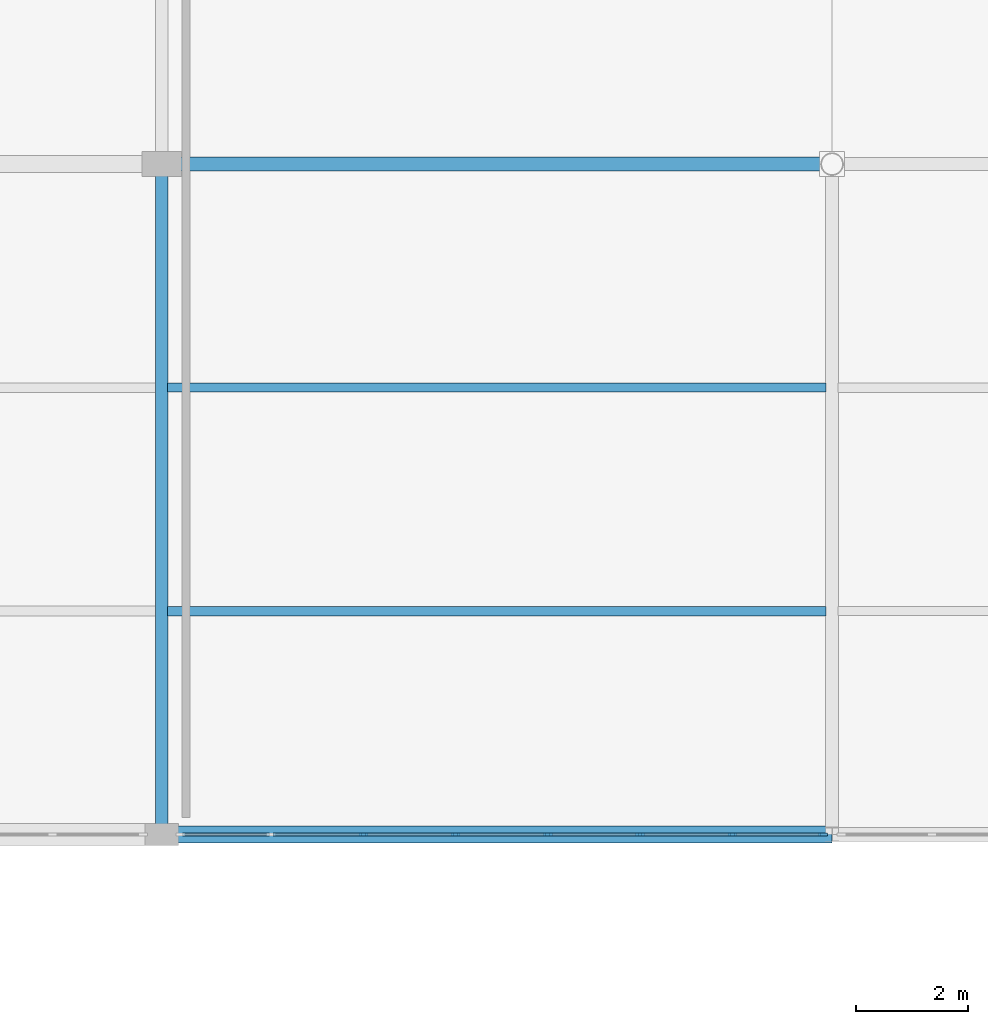
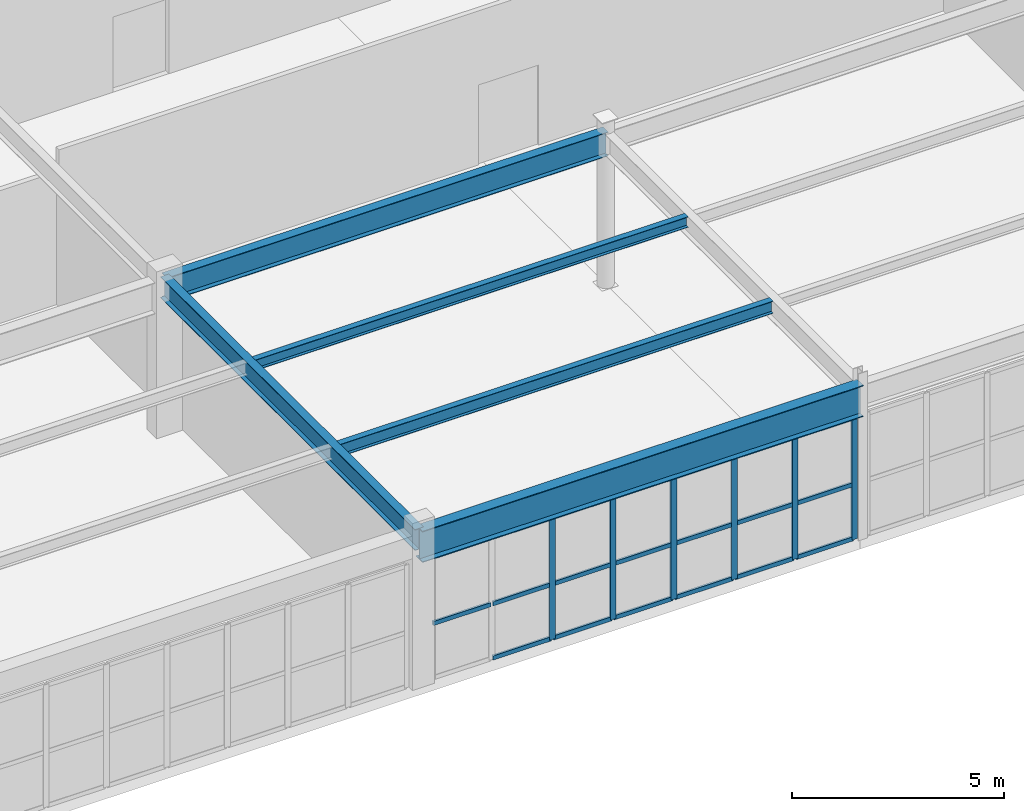
# One storey, part 97 of 226: 26 members, 5 beams, 1 element without a shape of its own.
"""IFC4 building model written with IfcOpenShell, lengths in metres."""

from ifc_helpers import new_model, si_unit, direction, frame, origin, origin_2d, place, context, subcontext, project, spatial, rectangle, i_section, extrude, material, layer, layer_set, material_profile, profile_set, type_object, element, aggregate, save


model = new_model("IFC4")

# Units and contexts
model_context = context("Model", 3, precision=1e-05, world=origin(), true_north=direction((0.0, 1.0)))
body_context = subcontext(model_context, "Body", "Model", "MODEL_VIEW")
ifc_project = project(units=[si_unit("LENGTHUNIT", "METRE"), si_unit("AREAUNIT", "SQUARE_METRE"), si_unit("VOLUMEUNIT", "CUBIC_METRE"), si_unit("PLANEANGLEUNIT", "RADIAN"), si_unit("MASSUNIT", "GRAM", prefix="KILO")], contexts=[model_context])

# Site, building, storey
site_placement = place(None, origin())
site = spatial("IfcSite", under=ifc_project, at=site_placement, CompositionType="ELEMENT")
building_placement = place(site_placement, origin())
building = spatial("IfcBuilding", under=site, at=building_placement, Name="Tarnwether General Hospital", CompositionType="ELEMENT")
storey_placement = place(building_placement, frame((0.0, 0.0, 4.800048828125)))
storey = spatial("IfcBuildingStorey", under=building, at=storey_placement, Name="L01", CompositionType="ELEMENT", Elevation=4.800048828125)

# Beams
ifc_material_1 = material(Name="Steel Grade 350 (350 MPa)", Category="steel")
ifc_material_profile_1 = material_profile(ifc_material_1, i_section(OverallWidth=0.300048828125, OverallDepth=0.89990234375, WebThickness=0.011962890625, FlangeThickness=0.02001953125, at=origin_2d()), Name="900WB175")
ifc_profile_set_1 = profile_set([ifc_material_profile_1], Name="Steel Grade 350 (350 MPa)")
beam_type_1 = type_object("IfcBeamType", Name="BM-G01", PredefinedType="BEAM", material=ifc_profile_set_1)
beam_1_placement = place(storey_placement, frame((84.0, 81.60009765625, 3.994873046875), z_axis=(1.0, 0.0, 0.0), x_axis=(0.0, 1.0, 0.0)))
element("IfcBeam", 1, at=beam_1_placement, inside=storey, type_object=beam_type_1, Name="Primary Girder BMG-L01-8400_8160-9600_8160-1151", PredefinedType="BEAM", context=body_context, shape_type="SweptSolid", body=[
    extrude(i_section(OverallWidth=0.300048828125, OverallDepth=0.89990234375, WebThickness=0.011962890625, FlangeThickness=0.02001953125, at=origin_2d()), origin(), (0.0, 0.0, 1.0), 12.0),
])
ifc_material_2 = material(Name="Steel Grade 350 (350 MPa)", Category="steel")
ifc_material_profile_2 = material_profile(ifc_material_2, i_section(OverallWidth=0.25, OverallDepth=0.69189453125, WebThickness=0.009033203125, FlangeThickness=0.01611328125, at=origin_2d()), Name="700WB115")
ifc_profile_set_2 = profile_set([ifc_material_profile_2], Name="Steel Grade 350 (350 MPa)")
beam_type_2 = type_object("IfcBeamType", Name="BM-G02", PredefinedType="BEAM", material=ifc_profile_set_2)
beam_2_placement = place(storey_placement, frame((84.0, 93.60009765625, 4.098876953125), z_axis=(1.0, 0.0, 0.0), x_axis=(0.0, 1.0, 0.0)))
element("IfcBeam", 2, at=beam_2_placement, inside=storey, type_object=beam_type_2, Name="Primary Girder BMG-L01-8400_9360-9600_9360-1153", PredefinedType="BEAM", context=body_context, shape_type="SweptSolid", body=[
    extrude(i_section(OverallWidth=0.25, OverallDepth=0.69189453125, WebThickness=0.009033203125, FlangeThickness=0.01611328125, at=origin_2d()), origin(), (0.0, 0.0, 1.0), 12.0),
])
ifc_material_3 = material(Name="Steel Grade 350 (350 MPa)", Category="steel")
ifc_material_profile_3 = material_profile(ifc_material_3, i_section(OverallWidth=0.22802734375, OverallDepth=0.60693359375, WebThickness=0.01123046875, FlangeThickness=0.017333984375, at=origin_2d()), Name="610UB113")
ifc_profile_set_3 = profile_set([ifc_material_profile_3], Name="Steel Grade 350 (350 MPa)")
beam_type_3 = type_object("IfcBeamType", Name="BM-G04", PredefinedType="BEAM", material=ifc_profile_set_3)
beam_3_placement = place(storey_placement, frame((84.0, 81.60009765625, 4.141357421875), z_axis=(0.0, 1.0, 0.0), x_axis=(-1.0, 0.0, 0.0)))
element("IfcBeam", 3, at=beam_3_placement, inside=storey, type_object=beam_type_3, Name="Primary Girder BMG-L01-8400_8160-8400_9360-1152", PredefinedType="BEAM", context=body_context, shape_type="SweptSolid", body=[
    extrude(i_section(OverallWidth=0.22802734375, OverallDepth=0.60693359375, WebThickness=0.01123046875, FlangeThickness=0.017333984375, at=origin_2d()), origin(), (0.0, 0.0, 1.0), 12.0),
])
ifc_material_4 = material(Name="Steel Grade 350 (350 MPa)", Category="steel")
ifc_material_profile_4 = material_profile(ifc_material_4, i_section(OverallWidth=0.1708984375, OverallDepth=0.35595703125, WebThickness=0.00732421875, FlangeThickness=0.011474609375, at=origin_2d()), Name="360UB50.7")
ifc_profile_set_4 = profile_set([ifc_material_profile_4], Name="Steel Grade 350 (350 MPa)")
beam_type_4 = type_object("IfcBeamType", Name="BM-J04", PredefinedType="JOIST", material=ifc_profile_set_4)
beam_4_placement = place(storey_placement, frame((84.10791015625, 85.60009765625, 4.266845703125), z_axis=(1.0, 0.0, 0.0), x_axis=(0.0, 1.0, 0.0)))
element("IfcBeam", 4, at=beam_4_placement, inside=storey, type_object=beam_type_4, Name="Composite Floor Joist BMG-L01-8411_8560-9589_8560-1365", PredefinedType="JOIST", context=body_context, shape_type="SweptSolid", body=[
    extrude(i_section(OverallWidth=0.1708984375, OverallDepth=0.35595703125, WebThickness=0.00732421875, FlangeThickness=0.011474609375, at=origin_2d()), origin(), (0.0, 0.0, 1.0), 11.7841796875),
])
ifc_material_5 = material(Name="Steel Grade 350 (350 MPa)", Category="steel")
ifc_material_profile_5 = material_profile(ifc_material_5, i_section(OverallWidth=0.166015625, OverallDepth=0.306884765625, WebThickness=0.006591796875, FlangeThickness=0.01171875, at=origin_2d()), Name="310UB46.2")
ifc_profile_set_5 = profile_set([ifc_material_profile_5], Name="Steel Grade 350 (350 MPa)")
beam_type_5 = type_object("IfcBeamType", Name="BM-J05", PredefinedType="JOIST", material=ifc_profile_set_5)
beam_5_placement = place(storey_placement, frame((84.10791015625, 89.60009765625, 4.29150390625), z_axis=(1.0, 0.0, 0.0), x_axis=(0.0, 1.0, 0.0)))
element("IfcBeam", 5, at=beam_5_placement, inside=storey, type_object=beam_type_5, Name="Composite Floor Joist BMG-L01-8411_8960-9589_8960-1366", PredefinedType="JOIST", context=body_context, shape_type="SweptSolid", body=[
    extrude(i_section(OverallWidth=0.166015625, OverallDepth=0.306884765625, WebThickness=0.006591796875, FlangeThickness=0.01171875, at=origin_2d()), origin(), (0.0, 0.0, 1.0), 11.7841796875),
])

# Curtain wall, members
ifc_material_6 = material(Name="Anodised aluminium", Category="aluminium")
ifc_layer = layer(ifc_material_6, 0.159912109375)
ifc_layer_set = layer_set([ifc_layer], Name="Anodised aluminium")
curtain_wall_type = type_object("IfcCurtainWallType", Name="CW-23", PredefinedType="NOTDEFINED", material=ifc_layer_set)
curtain_wall_placement = place(storey_placement, origin())
curtain_wall = element("IfcCurtainWall", 6, at=curtain_wall_placement, inside=storey, type_object=curtain_wall_type, Name="Curtain Wall CWG-L01-843_816-0341", PredefinedType="NOTDEFINED")
ifc_material_7 = material(Name="Anodised aluminium", Category="aluminium")
ifc_material_profile_6 = material_profile(ifc_material_7, rectangle(XDim=0.06005859375, YDim=0.159912109375, at=origin_2d()), Name="ALU-MUL-60x160")
ifc_profile_set_6 = profile_set([ifc_material_profile_6], Name="Anodised aluminium")
member_type_1 = type_object("IfcMemberType", Name="CW-ML1", PredefinedType="MULLION", material=ifc_profile_set_6)
member_1_placement = place(storey_placement, frame((87.609619140625, 81.60009765625, 0.0), z_axis=(0.0, 0.0, 1.0), x_axis=(0.0, 1.0, 0.0)))
member_1 = element("IfcMember", 7, at=member_1_placement, type_object=member_type_1, Name="CW-23 mullion 3", PredefinedType="MULLION", context=body_context, shape_type="SweptSolid", body=[
    extrude(rectangle(XDim=0.06005859375, YDim=0.159912109375, at=origin_2d()), origin(), (0.0, 0.0, 1.0), 3.530029296875),
])
member_2_placement = place(storey_placement, frame((89.260498046875, 81.60009765625, 0.0), z_axis=(0.0, 0.0, 1.0), x_axis=(0.0, 1.0, 0.0)))
member_2 = element("IfcMember", 8, at=member_2_placement, type_object=member_type_1, Name="CW-23 mullion 4", PredefinedType="MULLION", context=body_context, shape_type="SweptSolid", body=[
    extrude(rectangle(XDim=0.06005859375, YDim=0.159912109375, at=origin_2d()), origin(), (0.0, 0.0, 1.0), 3.530029296875),
])
member_3_placement = place(storey_placement, frame((90.911376953125, 81.60009765625, 0.0), z_axis=(0.0, 0.0, 1.0), x_axis=(0.0, 1.0, 0.0)))
member_3 = element("IfcMember", 9, at=member_3_placement, type_object=member_type_1, Name="CW-23 mullion 5", PredefinedType="MULLION", context=body_context, shape_type="SweptSolid", body=[
    extrude(rectangle(XDim=0.06005859375, YDim=0.159912109375, at=origin_2d()), origin(), (0.0, 0.0, 1.0), 3.530029296875),
])
member_4_placement = place(storey_placement, frame((92.562255859375, 81.60009765625, 0.0), z_axis=(0.0, 0.0, 1.0), x_axis=(0.0, 1.0, 0.0)))
member_4 = element("IfcMember", 10, at=member_4_placement, type_object=member_type_1, Name="CW-23 mullion 6", PredefinedType="MULLION", context=body_context, shape_type="SweptSolid", body=[
    extrude(rectangle(XDim=0.06005859375, YDim=0.159912109375, at=origin_2d()), origin(), (0.0, 0.0, 1.0), 3.530029296875),
])
member_5_placement = place(storey_placement, frame((94.213134765625, 81.60009765625, 0.0), z_axis=(0.0, 0.0, 1.0), x_axis=(0.0, 1.0, 0.0)))
member_5 = element("IfcMember", 11, at=member_5_placement, type_object=member_type_1, Name="CW-23 mullion 7", PredefinedType="MULLION", context=body_context, shape_type="SweptSolid", body=[
    extrude(rectangle(XDim=0.06005859375, YDim=0.159912109375, at=origin_2d()), origin(), (0.0, 0.0, 1.0), 3.530029296875),
])
member_6_placement = place(storey_placement, frame((95.833984375, 81.60009765625, 0.0), z_axis=(0.0, 0.0, 1.0), x_axis=(0.0, 1.0, 0.0)))
member_6 = element("IfcMember", 12, at=member_6_placement, type_object=member_type_1, Name="CW-23 mullion 8", PredefinedType="MULLION", context=body_context, shape_type="SweptSolid", body=[
    extrude(rectangle(XDim=0.06005859375, YDim=0.159912109375, at=origin_2d()), origin(), (0.0, 0.0, 1.0), 3.530029296875),
])
ifc_material_8 = material(Name="Anodised aluminium", Category="aluminium")
ifc_material_profile_7 = material_profile(ifc_material_8, rectangle(XDim=0.06005859375, YDim=0.1201171875, at=origin_2d()), Name="ALU-TRN-60x120")
ifc_profile_set_7 = profile_set([ifc_material_profile_7], Name="Anodised aluminium")
member_type_2 = type_object("IfcMemberType", Name="CW-TR1", PredefinedType="USERDEFINED", material=ifc_profile_set_7)
member_7_placement = place(storey_placement, frame((84.367919921875, 81.60009765625, 1.58837890625), z_axis=(1.0, 0.0, 0.0), x_axis=(0.0, 1.0, 0.0)))
member_7 = element("IfcMember", 13, at=member_7_placement, type_object=member_type_2, Name="CW-23 transom 1.2", ObjectType="TRANSOM", PredefinedType="USERDEFINED", context=body_context, shape_type="SweptSolid", body=[
    extrude(rectangle(XDim=0.06005859375, YDim=0.1201171875, at=origin_2d()), origin(), (0.0, 0.0, 1.0), 1.56103515625),
])
member_8_placement = place(storey_placement, frame((84.367919921875, 81.60009765625, 3.5), z_axis=(1.0, 0.0, 0.0), x_axis=(0.0, 1.0, 0.0)))
member_8 = element("IfcMember", 14, at=member_8_placement, type_object=member_type_2, Name="CW-23 transom 1.3", ObjectType="TRANSOM", PredefinedType="USERDEFINED", context=body_context, shape_type="SweptSolid", body=[
    extrude(rectangle(XDim=0.06005859375, YDim=0.1201171875, at=origin_2d()), origin(), (0.0, 0.0, 1.0), 1.56103515625),
])
member_9_placement = place(storey_placement, frame((85.98876953125, 81.60009765625, 0.030029296875), z_axis=(1.0, 0.0, 0.0), x_axis=(0.0, 1.0, 0.0)))
member_9 = element("IfcMember", 15, at=member_9_placement, type_object=member_type_2, Name="CW-23 transom 2.1", ObjectType="TRANSOM", PredefinedType="USERDEFINED", context=body_context, shape_type="SweptSolid", body=[
    extrude(rectangle(XDim=0.06005859375, YDim=0.1201171875, at=origin_2d()), origin(), (0.0, 0.0, 1.0), 1.591064453125),
])
member_10_placement = place(storey_placement, frame((85.98876953125, 81.60009765625, 1.58837890625), z_axis=(1.0, 0.0, 0.0), x_axis=(0.0, 1.0, 0.0)))
member_10 = element("IfcMember", 16, at=member_10_placement, type_object=member_type_2, Name="CW-23 transom 2.2", ObjectType="TRANSOM", PredefinedType="USERDEFINED", context=body_context, shape_type="SweptSolid", body=[
    extrude(rectangle(XDim=0.06005859375, YDim=0.1201171875, at=origin_2d()), origin(), (0.0, 0.0, 1.0), 1.591064453125),
])
member_11_placement = place(storey_placement, frame((85.98876953125, 81.60009765625, 3.5), z_axis=(1.0, 0.0, 0.0), x_axis=(0.0, 1.0, 0.0)))
member_11 = element("IfcMember", 17, at=member_11_placement, type_object=member_type_2, Name="CW-23 transom 2.3", ObjectType="TRANSOM", PredefinedType="USERDEFINED", context=body_context, shape_type="SweptSolid", body=[
    extrude(rectangle(XDim=0.06005859375, YDim=0.1201171875, at=origin_2d()), origin(), (0.0, 0.0, 1.0), 1.591064453125),
])
member_12_placement = place(storey_placement, frame((87.6396484375, 81.60009765625, 0.030029296875), z_axis=(1.0, 0.0, 0.0), x_axis=(0.0, 1.0, 0.0)))
member_12 = element("IfcMember", 18, at=member_12_placement, type_object=member_type_2, Name="CW-23 transom 3.1", ObjectType="TRANSOM", PredefinedType="USERDEFINED", context=body_context, shape_type="SweptSolid", body=[
    extrude(rectangle(XDim=0.06005859375, YDim=0.1201171875, at=origin_2d()), origin(), (0.0, 0.0, 1.0), 1.5908203125),
])
member_13_placement = place(storey_placement, frame((87.6396484375, 81.60009765625, 1.58837890625), z_axis=(1.0, 0.0, 0.0), x_axis=(0.0, 1.0, 0.0)))
member_13 = element("IfcMember", 19, at=member_13_placement, type_object=member_type_2, Name="CW-23 transom 3.2", ObjectType="TRANSOM", PredefinedType="USERDEFINED", context=body_context, shape_type="SweptSolid", body=[
    extrude(rectangle(XDim=0.06005859375, YDim=0.1201171875, at=origin_2d()), origin(), (0.0, 0.0, 1.0), 1.5908203125),
])
member_14_placement = place(storey_placement, frame((87.6396484375, 81.60009765625, 3.5), z_axis=(1.0, 0.0, 0.0), x_axis=(0.0, 1.0, 0.0)))
member_14 = element("IfcMember", 20, at=member_14_placement, type_object=member_type_2, Name="CW-23 transom 3.3", ObjectType="TRANSOM", PredefinedType="USERDEFINED", context=body_context, shape_type="SweptSolid", body=[
    extrude(rectangle(XDim=0.06005859375, YDim=0.1201171875, at=origin_2d()), origin(), (0.0, 0.0, 1.0), 1.5908203125),
])
member_15_placement = place(storey_placement, frame((89.29052734375, 81.60009765625, 0.030029296875), z_axis=(1.0, 0.0, 0.0), x_axis=(0.0, 1.0, 0.0)))
member_15 = element("IfcMember", 21, at=member_15_placement, type_object=member_type_2, Name="CW-23 transom 4.1", ObjectType="TRANSOM", PredefinedType="USERDEFINED", context=body_context, shape_type="SweptSolid", body=[
    extrude(rectangle(XDim=0.06005859375, YDim=0.1201171875, at=origin_2d()), origin(), (0.0, 0.0, 1.0), 1.5908203125),
])
member_16_placement = place(storey_placement, frame((89.29052734375, 81.60009765625, 1.58837890625), z_axis=(1.0, 0.0, 0.0), x_axis=(0.0, 1.0, 0.0)))
member_16 = element("IfcMember", 22, at=member_16_placement, type_object=member_type_2, Name="CW-23 transom 4.2", ObjectType="TRANSOM", PredefinedType="USERDEFINED", context=body_context, shape_type="SweptSolid", body=[
    extrude(rectangle(XDim=0.06005859375, YDim=0.1201171875, at=origin_2d()), origin(), (0.0, 0.0, 1.0), 1.5908203125),
])
member_17_placement = place(storey_placement, frame((89.29052734375, 81.60009765625, 3.5), z_axis=(1.0, 0.0, 0.0), x_axis=(0.0, 1.0, 0.0)))
member_17 = element("IfcMember", 23, at=member_17_placement, type_object=member_type_2, Name="CW-23 transom 4.3", ObjectType="TRANSOM", PredefinedType="USERDEFINED", context=body_context, shape_type="SweptSolid", body=[
    extrude(rectangle(XDim=0.06005859375, YDim=0.1201171875, at=origin_2d()), origin(), (0.0, 0.0, 1.0), 1.5908203125),
])
member_18_placement = place(storey_placement, frame((90.94140625, 81.60009765625, 0.030029296875), z_axis=(1.0, 0.0, 0.0), x_axis=(0.0, 1.0, 0.0)))
member_18 = element("IfcMember", 24, at=member_18_placement, type_object=member_type_2, Name="CW-23 transom 5.1", ObjectType="TRANSOM", PredefinedType="USERDEFINED", context=body_context, shape_type="SweptSolid", body=[
    extrude(rectangle(XDim=0.06005859375, YDim=0.1201171875, at=origin_2d()), origin(), (0.0, 0.0, 1.0), 1.5908203125),
])
member_19_placement = place(storey_placement, frame((90.94140625, 81.60009765625, 1.58837890625), z_axis=(1.0, 0.0, 0.0), x_axis=(0.0, 1.0, 0.0)))
member_19 = element("IfcMember", 25, at=member_19_placement, type_object=member_type_2, Name="CW-23 transom 5.2", ObjectType="TRANSOM", PredefinedType="USERDEFINED", context=body_context, shape_type="SweptSolid", body=[
    extrude(rectangle(XDim=0.06005859375, YDim=0.1201171875, at=origin_2d()), origin(), (0.0, 0.0, 1.0), 1.5908203125),
])
member_20_placement = place(storey_placement, frame((90.94140625, 81.60009765625, 3.5), z_axis=(1.0, 0.0, 0.0), x_axis=(0.0, 1.0, 0.0)))
member_20 = element("IfcMember", 26, at=member_20_placement, type_object=member_type_2, Name="CW-23 transom 5.3", ObjectType="TRANSOM", PredefinedType="USERDEFINED", context=body_context, shape_type="SweptSolid", body=[
    extrude(rectangle(XDim=0.06005859375, YDim=0.1201171875, at=origin_2d()), origin(), (0.0, 0.0, 1.0), 1.5908203125),
])
member_21_placement = place(storey_placement, frame((92.59228515625, 81.60009765625, 0.030029296875), z_axis=(1.0, 0.0, 0.0), x_axis=(0.0, 1.0, 0.0)))
member_21 = element("IfcMember", 27, at=member_21_placement, type_object=member_type_2, Name="CW-23 transom 6.1", ObjectType="TRANSOM", PredefinedType="USERDEFINED", context=body_context, shape_type="SweptSolid", body=[
    extrude(rectangle(XDim=0.06005859375, YDim=0.1201171875, at=origin_2d()), origin(), (0.0, 0.0, 1.0), 1.5908203125),
])
member_22_placement = place(storey_placement, frame((92.59228515625, 81.60009765625, 1.58837890625), z_axis=(1.0, 0.0, 0.0), x_axis=(0.0, 1.0, 0.0)))
member_22 = element("IfcMember", 28, at=member_22_placement, type_object=member_type_2, Name="CW-23 transom 6.2", ObjectType="TRANSOM", PredefinedType="USERDEFINED", context=body_context, shape_type="SweptSolid", body=[
    extrude(rectangle(XDim=0.06005859375, YDim=0.1201171875, at=origin_2d()), origin(), (0.0, 0.0, 1.0), 1.5908203125),
])
member_23_placement = place(storey_placement, frame((92.59228515625, 81.60009765625, 3.5), z_axis=(1.0, 0.0, 0.0), x_axis=(0.0, 1.0, 0.0)))
member_23 = element("IfcMember", 29, at=member_23_placement, type_object=member_type_2, Name="CW-23 transom 6.3", ObjectType="TRANSOM", PredefinedType="USERDEFINED", context=body_context, shape_type="SweptSolid", body=[
    extrude(rectangle(XDim=0.06005859375, YDim=0.1201171875, at=origin_2d()), origin(), (0.0, 0.0, 1.0), 1.5908203125),
])
member_24_placement = place(storey_placement, frame((94.2431640625, 81.60009765625, 0.030029296875), z_axis=(1.0, 0.0, 0.0), x_axis=(0.0, 1.0, 0.0)))
member_24 = element("IfcMember", 30, at=member_24_placement, type_object=member_type_2, Name="CW-23 transom 7.1", ObjectType="TRANSOM", PredefinedType="USERDEFINED", context=body_context, shape_type="SweptSolid", body=[
    extrude(rectangle(XDim=0.06005859375, YDim=0.1201171875, at=origin_2d()), origin(), (0.0, 0.0, 1.0), 1.560791015625),
])
member_25_placement = place(storey_placement, frame((94.2431640625, 81.60009765625, 1.58837890625), z_axis=(1.0, 0.0, 0.0), x_axis=(0.0, 1.0, 0.0)))
member_25 = element("IfcMember", 31, at=member_25_placement, type_object=member_type_2, Name="CW-23 transom 7.2", ObjectType="TRANSOM", PredefinedType="USERDEFINED", context=body_context, shape_type="SweptSolid", body=[
    extrude(rectangle(XDim=0.06005859375, YDim=0.1201171875, at=origin_2d()), origin(), (0.0, 0.0, 1.0), 1.560791015625),
])
member_26_placement = place(storey_placement, frame((94.2431640625, 81.60009765625, 3.5), z_axis=(1.0, 0.0, 0.0), x_axis=(0.0, 1.0, 0.0)))
member_26 = element("IfcMember", 32, at=member_26_placement, type_object=member_type_2, Name="CW-23 transom 7.3", ObjectType="TRANSOM", PredefinedType="USERDEFINED", context=body_context, shape_type="SweptSolid", body=[
    extrude(rectangle(XDim=0.06005859375, YDim=0.1201171875, at=origin_2d()), origin(), (0.0, 0.0, 1.0), 1.560791015625),
])
aggregate(curtain_wall, [member_1, member_2, member_3, member_4, member_5, member_6, member_7, member_8, member_9, member_10, member_11, member_12, member_13, member_14, member_15, member_16, member_17, member_18, member_19, member_20, member_21, member_22, member_23, member_24, member_25, member_26])

save(model, "model.ifc")
